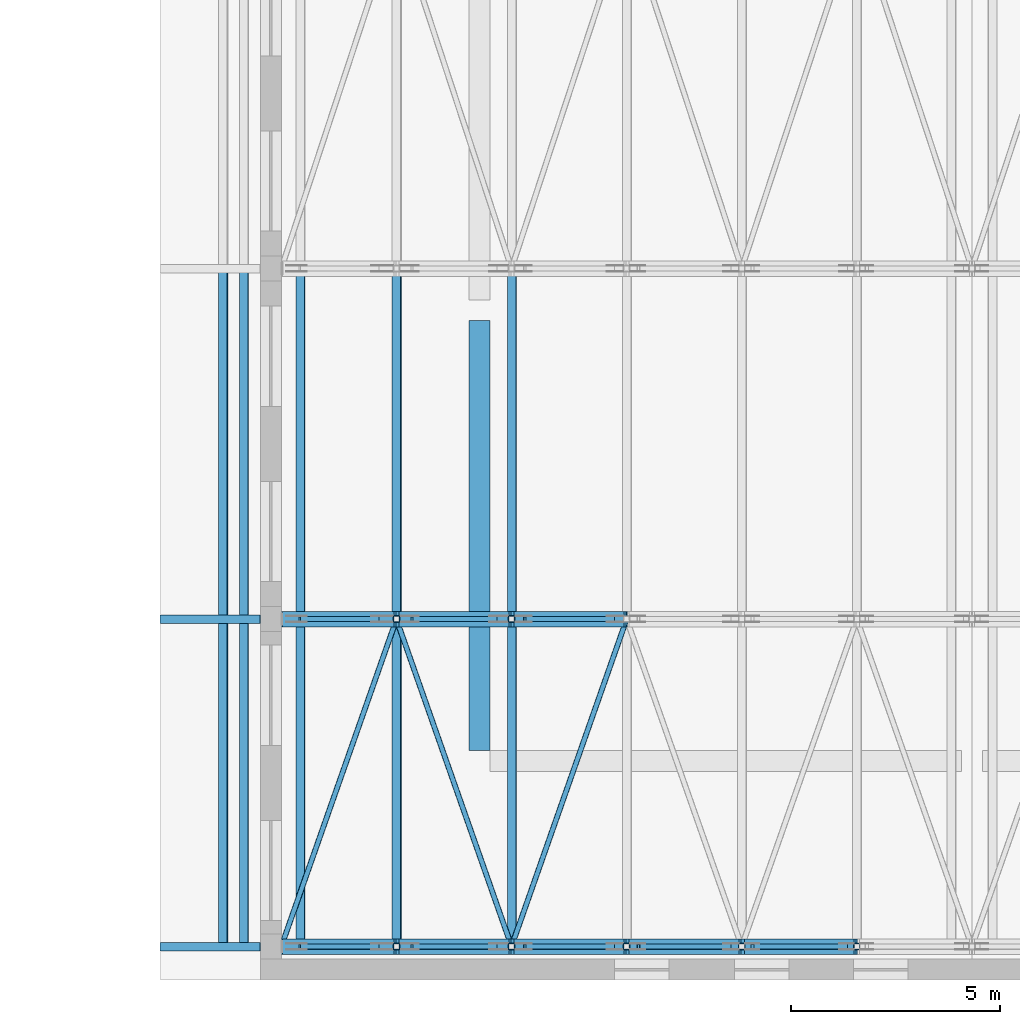
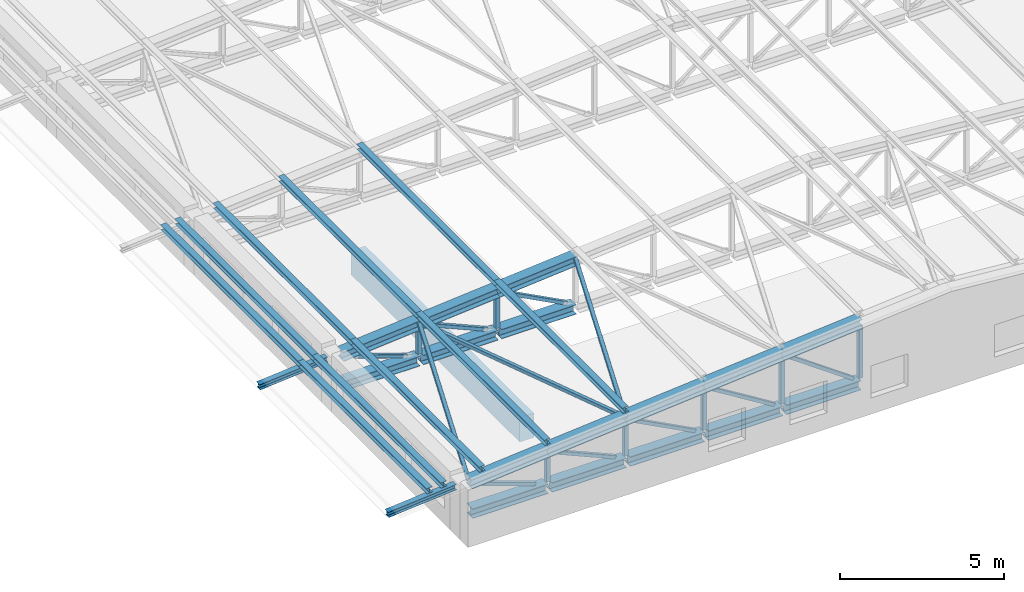
# One storey, part 9 of 60: 46 members, 1 beam.
"""IFC4 building model written with IfcOpenShell, lengths in metres."""

import ifcopenshell
import ifcopenshell.guid

model = None  # the IFC model being written
_history = None  # IfcOwnerHistory: only IFC2X3 demands one
_inside = {}  # id of a spatial element -> (the spatial element, [elements in it])
_under = {}  # id of a project, library or spatial element -> (it, [spatial elements below it])
_declared = {}  # id of a project -> (the project, [libraries it declares])
_typed = {}  # id of a type object -> (the type object, [elements of that type])
_made_of = {}  # id of a material, layer set ... -> (it, [elements and type objects made of it])


def new_model(schema):
    """Start an empty IFC model of exactly this schema.

    Asked for "IFC4X3", IfcOpenShell would pick the latest addendum, in which some entities
    have other attributes; the version numbers below select the first issue.
    IFC2X3 requires an IfcOwnerHistory on every rooted entity: one is made here for all.
    """
    global model, _history
    if schema == "IFC4X3":
        model = ifcopenshell.file(schema_version=(4, 3, 0, 0))
    else:
        model = ifcopenshell.file(schema=schema)
    _inside.clear()
    _under.clear()
    _declared.clear()
    _typed.clear()
    _made_of.clear()
    _history = None
    if model.schema == "IFC2X3":
        org = make("IfcOrganization", Name="unknown")
        user = make(
            "IfcPersonAndOrganization",
            ThePerson=make("IfcPerson", FamilyName="unknown"),
            TheOrganization=org,
        )
        app = make(
            "IfcApplication",
            ApplicationDeveloper=org,
            Version="unknown",
            ApplicationFullName="unknown",
            ApplicationIdentifier="unknown",
        )
        _history = make(
            "IfcOwnerHistory",
            OwningUser=user,
            OwningApplication=app,
            ChangeAction="ADDED",
            CreationDate=0,
        )
    return model


def make(cls, **values):
    """One entity of the class cls with the attributes given. An attribute that is None is left unset."""
    return model.create_entity(
        cls, **{name: value for name, value in values.items() if value is not None}
    )


def rooted(cls, **values):
    """An entity with a GlobalId (a new one), such as an element, a storey or a relation."""
    return make(cls, GlobalId=ifcopenshell.guid.new(), OwnerHistory=_history, **values)


def si_unit(unit_type, name, prefix=None):
    """IfcSIUnit, for example si_unit("LENGTHUNIT", "METRE", prefix="MILLI")."""
    return make("IfcSIUnit", UnitType=unit_type, Prefix=prefix, Name=name)


def assignment(units):
    """IfcUnitAssignment: the units of a project."""
    return None if units is None else make("IfcUnitAssignment", Units=units)


def point(xyz):
    """IfcCartesianPoint."""
    return None if xyz is None else make("IfcCartesianPoint", Coordinates=xyz)


def direction(xyz):
    """IfcDirection."""
    return None if xyz is None else make("IfcDirection", DirectionRatios=xyz)


def frame(location, z_axis=None, x_axis=None):
    """IfcAxis2Placement3D, a coordinate frame: its origin and axes. An axis left out is left unset."""
    return make(
        "IfcAxis2Placement3D",
        Location=point(location),
        Axis=direction(z_axis),
        RefDirection=direction(x_axis),
    )


def frame_2d(location, x_axis=None):
    """IfcAxis2Placement2D, a coordinate frame in the plane: its origin and x axis."""
    return make(
        "IfcAxis2Placement2D", Location=point(location), RefDirection=direction(x_axis)
    )


def origin():
    """The frame at (0, 0, 0) with its axes left unset."""
    return frame((0.0, 0.0, 0.0))


def origin_2d():
    """The frame at (0, 0) in the plane with its x axis left unset."""
    return frame_2d((0.0, 0.0))


def place(relative_to, where):
    """IfcLocalPlacement: puts the frame where relative to a parent placement (None: the world)."""
    return make(
        "IfcLocalPlacement", PlacementRelTo=relative_to, RelativePlacement=where
    )


def context(
    kind, dimensions, precision=None, world=None, true_north=None, identifier=None
):
    """IfcGeometricRepresentationContext, for example the 3D "Model" context."""
    return make(
        "IfcGeometricRepresentationContext",
        ContextIdentifier=identifier,
        ContextType=kind,
        CoordinateSpaceDimension=dimensions,
        Precision=precision,
        WorldCoordinateSystem=world,
        TrueNorth=true_north,
    )


def subcontext(parent, identifier, kind, view, scale=None):
    """IfcGeometricRepresentationSubContext, for example "Body" below "Model"."""
    return make(
        "IfcGeometricRepresentationSubContext",
        ContextIdentifier=identifier,
        ContextType=kind,
        ParentContext=parent,
        TargetScale=scale,
        TargetView=view,
    )


def project(units=None, contexts=None):
    """IfcProject with its units and contexts."""
    return rooted(
        "IfcProject",
        Name="project",
        RepresentationContexts=contexts,
        UnitsInContext=assignment(units),
    )


def spatial(cls, under=None, at=None, **own):
    """A site, building, storey or space (cls), placed at a placement, below another one or the project."""
    s = rooted(cls, ObjectPlacement=at, **own)
    if under is not None:
        _under.setdefault(under.id(), (under, []))[1].append(s)
    return s


def profile(cls, at=None, kind="AREA", **sizes):
    """A parametric profile (cls). Its sizes go by their IFC names, for example OverallWidth=200.0."""
    return make(cls, ProfileType=kind, Position=at, **sizes)


def rectangle(**sizes):
    """IfcRectangleProfileDef."""
    return profile("IfcRectangleProfileDef", **sizes)


def hollow_rectangle(**sizes):
    """IfcRectangleHollowProfileDef."""
    return profile("IfcRectangleHollowProfileDef", **sizes)


def i_section(**sizes):
    """IfcIShapeProfileDef."""
    return profile("IfcIShapeProfileDef", **sizes)


def extrude(swept, where, along, depth):
    """IfcExtrudedAreaSolid: the profile swept, set in the frame where, extruded along a direction by depth."""
    return make(
        "IfcExtrudedAreaSolid",
        SweptArea=swept,
        Position=where,
        ExtrudedDirection=direction(along),
        Depth=depth,
    )


def shape(context_of_items, identifier, shape_type, items):
    """IfcShapeRepresentation: the items that make up one representation, for example the "Body"."""
    return make(
        "IfcShapeRepresentation",
        ContextOfItems=context_of_items,
        RepresentationIdentifier=identifier,
        RepresentationType=shape_type,
        Items=items,
    )


def material(Name=None, Category=None):
    """IfcMaterial."""
    return make("IfcMaterial", Name=Name, Category=Category)


def material_profile(
    of_material, cross_section, Name=None, Category=None, Priority=None
):
    """IfcMaterialProfile: a cross section and its material."""
    return make(
        "IfcMaterialProfile",
        Name=Name,
        Material=of_material,
        Profile=cross_section,
        Priority=Priority,
        Category=Category,
    )


def profile_set(profiles, Name=None, composite=None):
    """IfcMaterialProfileSet."""
    return make(
        "IfcMaterialProfileSet",
        Name=Name,
        MaterialProfiles=profiles,
        CompositeProfile=composite,
    )


def made_of(thing, what):
    """Note that an element or type object is made of a material, layer set ...; save() writes the relation."""
    if what is not None:
        _made_of.setdefault(what.id(), (what, []))[1].append(thing)
    return thing


def type_object(cls, material=None, **own):
    """A type object (cls), such as IfcWallType, which elements share."""
    return made_of(rooted(cls, **own), material)


def element(
    cls,
    number,
    at=None,
    inside=None,
    cuts=None,
    type_object=None,
    material=None,
    context=None,
    identifier="Body",
    shape_type=None,
    held_by="IfcProductDefinitionShape",
    body=None,
    shapes=None,
    **own,
):
    """One element of the class cls, such as IfcWall. Its Tag is "e" and its number.

    at: its placement. inside: the storey or other place that contains it. cuts: it is an
    opening in that element (IfcRelVoidsElement). A single representation is given by context,
    identifier, shape_type and body (its items); several are given by shapes. held_by: the class
    of the entity that holds the representations. save() writes the other relations.
    """
    e = rooted(cls, Tag="e%d" % number, ObjectPlacement=at, **own)
    if body is not None:
        shapes = [shape(context, identifier, shape_type, body)]
    if shapes is not None:
        e.Representation = make(held_by, Representations=shapes)
    if inside is not None:
        _inside.setdefault(inside.id(), (inside, []))[1].append(e)
    if cuts is not None:
        rooted(
            "IfcRelVoidsElement", RelatingBuildingElement=cuts, RelatedOpeningElement=e
        )
    if type_object is not None:
        _typed.setdefault(type_object.id(), (type_object, []))[1].append(e)
    return made_of(e, material)


def aggregate(whole, parts):
    """IfcRelAggregates: a whole, such as a stair, and the parts it consists of."""
    return rooted("IfcRelAggregates", RelatingObject=whole, RelatedObjects=parts)


def save(model, path):
    """Write the relations noted so far, then the file.

    IfcRelAggregates (storeys below a building ...), IfcRelContainedInSpatialStructure (elements
    in a storey), IfcRelDefinesByType, IfcRelAssociatesMaterial and IfcRelDeclares: one each for
    every whole, place, type object, material and project.
    """
    for whole, parts in _under.values():
        aggregate(whole, parts)
    for where, things in _inside.values():
        rooted(
            "IfcRelContainedInSpatialStructure",
            RelatedElements=things,
            RelatingStructure=where,
        )
    for kind, things in _typed.values():
        rooted("IfcRelDefinesByType", RelatedObjects=things, RelatingType=kind)
    for what, things in _made_of.values():
        rooted("IfcRelAssociatesMaterial", RelatedObjects=things, RelatingMaterial=what)
    for by, libraries in _declared.values():
        rooted("IfcRelDeclares", RelatingContext=by, RelatedDefinitions=libraries)
    model.write(path)


model = new_model("IFC4")

# Units and contexts
model_context = context("Model", 3, precision=1e-05, world=origin(), true_north=direction((0.0, 1.0)))
body_context = subcontext(model_context, "Body", "Model", "MODEL_VIEW")
ifc_project = project(units=[si_unit("LENGTHUNIT", "METRE"), si_unit("AREAUNIT", "SQUARE_METRE"), si_unit("VOLUMEUNIT", "CUBIC_METRE"), si_unit("PLANEANGLEUNIT", "RADIAN"), si_unit("MASSUNIT", "GRAM", prefix="KILO")], contexts=[model_context])

# Site, building, storey
site_placement = place(None, origin())
site = spatial("IfcSite", under=ifc_project, at=site_placement, CompositionType="ELEMENT")
building_placement = place(site_placement, origin())
building = spatial("IfcBuilding", under=site, at=building_placement, Name="Ljudholm Concert House", CompositionType="ELEMENT")
storey_placement = place(building_placement, frame((0.0, 0.0, 15.0)))
storey = spatial("IfcBuildingStorey", under=building, at=storey_placement, Name="L03", CompositionType="ELEMENT", Elevation=15.0)

# Beam
ifc_material_1 = material(Name="Concrete 6,500 psi", Category="concrete")
ifc_material_profile_1 = material_profile(ifc_material_1, rectangle(XDim=0.5, YDim=0.89990234375, at=origin_2d()), Name="RC BEAM 500x900")
ifc_profile_set_1 = profile_set([ifc_material_profile_1], Name="Concrete 6,500 psi")
beam_type = type_object("IfcBeamType", Name="RC BEAM 500x900", PredefinedType="BEAM", material=ifc_profile_set_1)
beam_placement = place(storey_placement, frame((17.39990234375, 9.25, -0.699951171875), z_axis=(0.0, 1.0, 0.0), x_axis=(-1.0, 0.0, 0.0)))
element("IfcBeam", 1, at=beam_placement, inside=storey, type_object=beam_type, Name="Ring beam", PredefinedType="BEAM", context=body_context, shape_type="SweptSolid", body=[
    extrude(rectangle(XDim=0.5, YDim=0.89990234375, at=origin_2d()), origin(), (0.0, 0.0, 1.0), 10.300048828125),
])

# Members
ifc_material_2 = material(Name="Steel ASTM A500 Gr. C", Category="steel")
ifc_material_profile_2 = material_profile(ifc_material_2, hollow_rectangle(XDim=0.126953125, YDim=0.126953125, WallThickness=0.00732421875, InnerFilletRadius=0.003662109375, OuterFilletRadius=0.010986328125, at=origin_2d()), Name="HSS5X5X5/16")
ifc_profile_set_2 = profile_set([ifc_material_profile_2], Name="Steel ASTM A500 Gr. C")
member_type_1 = type_object("IfcMemberType", Name="STEEL MEMBER HSS5X5X5/16 BRACE", PredefinedType="BRACE", material=ifc_profile_set_2)
member_1_placement = place(storey_placement, frame((13.093994140625, 4.550048828125, 1.58447265625), z_axis=(0.945096021447, 0.0, -0.326792763453), x_axis=(0.0, 1.0, 0.0)))
element("IfcMember", 2, at=member_1_placement, inside=storey, type_object=member_type_1, Name="Roof truss T1 diagonal", PredefinedType="BRACE", context=body_context, shape_type="SweptSolid", body=[
    extrude(hollow_rectangle(XDim=0.126953125, YDim=0.126953125, WallThickness=0.00732421875, InnerFilletRadius=0.003662109375, OuterFilletRadius=0.010986328125, at=origin_2d()), origin(), (0.0, 0.0, 1.0), 1.97900390625),
])
member_2_placement = place(storey_placement, frame((15.777099609375, 4.550048828125, 1.816650390625), z_axis=(0.916733409918, 0.0, -0.399499505808), x_axis=(0.0, 1.0, 0.0)))
element("IfcMember", 3, at=member_2_placement, inside=storey, type_object=member_type_1, Name="Roof truss T1 diagonal", PredefinedType="BRACE", context=body_context, shape_type="SweptSolid", body=[
    extrude(hollow_rectangle(XDim=0.126953125, YDim=0.126953125, WallThickness=0.00732421875, InnerFilletRadius=0.003662109375, OuterFilletRadius=0.010986328125, at=origin_2d()), origin(), (0.0, 0.0, 1.0), 2.204345703125),
])
member_3_placement = place(storey_placement, frame((18.48583984375, 4.550048828125, 2.050048828125), z_axis=(0.884876217226, 0.0, -0.465826233898), x_axis=(0.0, 1.0, 0.0)))
element("IfcMember", 4, at=member_3_placement, inside=storey, type_object=member_type_1, Name="Roof truss T1 diagonal", PredefinedType="BRACE", context=body_context, shape_type="SweptSolid", body=[
    extrude(hollow_rectangle(XDim=0.126953125, YDim=0.126953125, WallThickness=0.00732421875, InnerFilletRadius=0.003662109375, OuterFilletRadius=0.010986328125, at=origin_2d()), origin(), (0.0, 0.0, 1.0), 2.395751953125),
])
member_4_placement = place(storey_placement, frame((21.20947265625, 4.550048828125, 2.2841796875), z_axis=(0.850800492384, 0.0, -0.525488841137), x_axis=(0.0, 1.0, 0.0)))
element("IfcMember", 5, at=member_4_placement, inside=storey, type_object=member_type_1, Name="Roof truss T1 diagonal", PredefinedType="BRACE", context=body_context, shape_type="SweptSolid", body=[
    extrude(hollow_rectangle(XDim=0.126953125, YDim=0.126953125, WallThickness=0.00732421875, InnerFilletRadius=0.003662109375, OuterFilletRadius=0.010986328125, at=origin_2d()), origin(), (0.0, 0.0, 1.0), 2.573486328125),
])
member_5_placement = place(storey_placement, frame((23.9423828125, 4.550048828125, 2.518798828125), z_axis=(0.815632982968, 0.0, -0.578569647574), x_axis=(0.0, 1.0, 0.0)))
element("IfcMember", 6, at=member_5_placement, inside=storey, type_object=member_type_1, Name="Roof truss T1 diagonal", PredefinedType="BRACE", context=body_context, shape_type="SweptSolid", body=[
    extrude(hollow_rectangle(XDim=0.126953125, YDim=0.126953125, WallThickness=0.00732421875, InnerFilletRadius=0.003662109375, OuterFilletRadius=0.010986328125, at=origin_2d()), origin(), (0.0, 0.0, 1.0), 2.74658203125),
])
member_6_placement = place(storey_placement, frame((13.093994140625, 12.39990234375, 1.58447265625), z_axis=(0.945096021447, 0.0, -0.326792763453), x_axis=(0.0, 1.0, 0.0)))
element("IfcMember", 7, at=member_6_placement, inside=storey, type_object=member_type_1, Name="Roof truss T2 diagonal", PredefinedType="BRACE", context=body_context, shape_type="SweptSolid", body=[
    extrude(hollow_rectangle(XDim=0.126953125, YDim=0.126953125, WallThickness=0.00732421875, InnerFilletRadius=0.003662109375, OuterFilletRadius=0.010986328125, at=origin_2d()), origin(), (0.0, 0.0, 1.0), 1.97900390625),
])
member_7_placement = place(storey_placement, frame((15.777099609375, 12.39990234375, 1.816650390625), z_axis=(0.916733409918, 0.0, -0.399499505808), x_axis=(0.0, 1.0, 0.0)))
element("IfcMember", 8, at=member_7_placement, inside=storey, type_object=member_type_1, Name="Roof truss T2 diagonal", PredefinedType="BRACE", context=body_context, shape_type="SweptSolid", body=[
    extrude(hollow_rectangle(XDim=0.126953125, YDim=0.126953125, WallThickness=0.00732421875, InnerFilletRadius=0.003662109375, OuterFilletRadius=0.010986328125, at=origin_2d()), origin(), (0.0, 0.0, 1.0), 2.204345703125),
])
member_8_placement = place(storey_placement, frame((18.48583984375, 12.39990234375, 2.050048828125), z_axis=(0.884876217226, 0.0, -0.465826233898), x_axis=(0.0, 1.0, 0.0)))
element("IfcMember", 9, at=member_8_placement, inside=storey, type_object=member_type_1, Name="Roof truss T2 diagonal", PredefinedType="BRACE", context=body_context, shape_type="SweptSolid", body=[
    extrude(hollow_rectangle(XDim=0.126953125, YDim=0.126953125, WallThickness=0.00732421875, InnerFilletRadius=0.003662109375, OuterFilletRadius=0.010986328125, at=origin_2d()), origin(), (0.0, 0.0, 1.0), 2.395751953125),
])
member_9_placement = place(storey_placement, frame((12.64990234375, 4.5556640625, 1.800048828125), z_axis=(0.331820868413, 0.942924545801, 0.028075117285), x_axis=(-0.943296377948, 0.331951718402, 0.0)))
element("IfcMember", 10, at=member_9_placement, inside=storey, type_object=member_type_1, Name="Roof bracing", PredefinedType="BRACE", context=body_context, shape_type="SweptSolid", body=[
    extrude(hollow_rectangle(XDim=0.126953125, YDim=0.126953125, WallThickness=0.00732421875, InnerFilletRadius=0.003662109375, OuterFilletRadius=0.010986328125, at=origin_2d()), origin(), (0.0, 0.0, 1.0), 8.3134765625),
])
for number, where, z_axis, x_axis, name in (
    (11, (15.408447265625, 12.39453125, 2.033447265625), (0.331795007664, -0.942934511072, 0.028046046408), (0.943305577044, 0.331925576474, 0.0), "Roof bracing"),
    (12, (18.166748046875, 4.5556640625, 2.2666015625), (0.33179473424, 0.942933734023, 0.02807539086), (-0.943305577044, 0.331925576474, 0.0), "Roof bracing"),
):
    element("IfcMember", number, at=place(storey_placement, frame(where, z_axis=z_axis, x_axis=x_axis)), inside=storey, type_object=member_type_1, Name=name, PredefinedType="BRACE", context=body_context, shape_type="SweptSolid", body=[
        extrude(hollow_rectangle(XDim=0.126953125, YDim=0.126953125, WallThickness=0.00732421875, InnerFilletRadius=0.003662109375, OuterFilletRadius=0.010986328125, at=origin_2d()), origin(), (0.0, 0.0, 1.0), 8.313232421875),
    ])
ifc_material_3 = material(Name="Steel ASTM A500 Gr. C", Category="steel")
ifc_material_profile_3 = material_profile(ifc_material_3, hollow_rectangle(XDim=0.15234375, YDim=0.15234375, WallThickness=0.0087890625, InnerFilletRadius=0.00439453125, OuterFilletRadius=0.01318359375, at=origin_2d()), Name="HSS6X6X3/8")
ifc_profile_set_3 = profile_set([ifc_material_profile_3], Name="Steel ASTM A500 Gr. C")
member_type_2 = type_object("IfcMemberType", Name="STEEL MEMBER HSS6X6X3/8 POST", PredefinedType="POST", material=ifc_profile_set_3)
member_10_placement = place(storey_placement, frame((15.408447265625, 4.550048828125, 0.877685546875), z_axis=(0.0, 0.0, 1.0), x_axis=(1.0, 0.0, 0.0)))
element("IfcMember", 13, at=member_10_placement, inside=storey, type_object=member_type_2, Name="Roof truss T1 post", PredefinedType="POST", context=body_context, shape_type="SweptSolid", body=[
    extrude(hollow_rectangle(XDim=0.15234375, YDim=0.15234375, WallThickness=0.0087890625, InnerFilletRadius=0.00439453125, OuterFilletRadius=0.01318359375, at=origin_2d()), origin(), (0.0, 0.0, 1.0), 0.977294921875),
])
member_11_placement = place(storey_placement, frame((18.166748046875, 4.550048828125, 0.877685546875), z_axis=(0.0, 0.0, 1.0), x_axis=(1.0, 0.0, 0.0)))
element("IfcMember", 14, at=member_11_placement, inside=storey, type_object=member_type_2, Name="Roof truss T1 post", PredefinedType="POST", context=body_context, shape_type="SweptSolid", body=[
    extrude(hollow_rectangle(XDim=0.15234375, YDim=0.15234375, WallThickness=0.0087890625, InnerFilletRadius=0.00439453125, OuterFilletRadius=0.01318359375, at=origin_2d()), origin(), (0.0, 0.0, 1.0), 1.21044921875),
])
member_12_placement = place(storey_placement, frame((20.925048828125, 4.550048828125, 0.877685546875), z_axis=(0.0, 0.0, 1.0), x_axis=(1.0, 0.0, 0.0)))
element("IfcMember", 15, at=member_12_placement, inside=storey, type_object=member_type_2, Name="Roof truss T1 post", PredefinedType="POST", context=body_context, shape_type="SweptSolid", body=[
    extrude(hollow_rectangle(XDim=0.15234375, YDim=0.15234375, WallThickness=0.0087890625, InnerFilletRadius=0.00439453125, OuterFilletRadius=0.01318359375, at=origin_2d()), origin(), (0.0, 0.0, 1.0), 1.44384765625),
])
member_13_placement = place(storey_placement, frame((23.683349609375, 4.550048828125, 0.877685546875), z_axis=(0.0, 0.0, 1.0), x_axis=(1.0, 0.0, 0.0)))
element("IfcMember", 16, at=member_13_placement, inside=storey, type_object=member_type_2, Name="Roof truss T1 post", PredefinedType="POST", context=body_context, shape_type="SweptSolid", body=[
    extrude(hollow_rectangle(XDim=0.15234375, YDim=0.15234375, WallThickness=0.0087890625, InnerFilletRadius=0.00439453125, OuterFilletRadius=0.01318359375, at=origin_2d()), origin(), (0.0, 0.0, 1.0), 1.67724609375),
])
member_14_placement = place(storey_placement, frame((26.441650390625, 4.550048828125, 0.877685546875), z_axis=(0.0, 0.0, 1.0), x_axis=(1.0, 0.0, 0.0)))
element("IfcMember", 17, at=member_14_placement, inside=storey, type_object=member_type_2, Name="Roof truss T1 post", PredefinedType="POST", context=body_context, shape_type="SweptSolid", body=[
    extrude(hollow_rectangle(XDim=0.15234375, YDim=0.15234375, WallThickness=0.0087890625, InnerFilletRadius=0.00439453125, OuterFilletRadius=0.01318359375, at=origin_2d()), origin(), (0.0, 0.0, 1.0), 1.91064453125),
])
member_15_placement = place(storey_placement, frame((15.408447265625, 12.39990234375, 0.877685546875), z_axis=(0.0, 0.0, 1.0), x_axis=(1.0, 0.0, 0.0)))
element("IfcMember", 18, at=member_15_placement, inside=storey, type_object=member_type_2, Name="Roof truss T2 post", PredefinedType="POST", context=body_context, shape_type="SweptSolid", body=[
    extrude(hollow_rectangle(XDim=0.15234375, YDim=0.15234375, WallThickness=0.0087890625, InnerFilletRadius=0.00439453125, OuterFilletRadius=0.01318359375, at=origin_2d()), origin(), (0.0, 0.0, 1.0), 0.977294921875),
])
member_16_placement = place(storey_placement, frame((18.166748046875, 12.39990234375, 0.877685546875), z_axis=(0.0, 0.0, 1.0), x_axis=(1.0, 0.0, 0.0)))
element("IfcMember", 19, at=member_16_placement, inside=storey, type_object=member_type_2, Name="Roof truss T2 post", PredefinedType="POST", context=body_context, shape_type="SweptSolid", body=[
    extrude(hollow_rectangle(XDim=0.15234375, YDim=0.15234375, WallThickness=0.0087890625, InnerFilletRadius=0.00439453125, OuterFilletRadius=0.01318359375, at=origin_2d()), origin(), (0.0, 0.0, 1.0), 1.21044921875),
])
ifc_material_4 = material(Name="Steel ASTM A992", Category="steel")
ifc_material_profile_4 = material_profile(ifc_material_4, i_section(OverallWidth=0.368408203125, OverallDepth=0.355712890625, WebThickness=0.01123046875, FlangeThickness=0.01806640625, FilletRadius=0.01513671875, at=origin_2d()), Name="W14X90")
ifc_profile_set_4 = profile_set([ifc_material_profile_4], Name="Steel ASTM A992")
member_type_3 = type_object("IfcMemberType", Name="STEEL MEMBER W14X90 CHORD", PredefinedType="CHORD", material=ifc_profile_set_4)
member_17_placement = place(storey_placement, frame((12.64990234375, 4.550048828125, 1.800048828125), z_axis=(0.996439740606, 0.0, 0.084308026553), x_axis=(0.0, 1.0, 0.0)))
element("IfcMember", 20, at=member_17_placement, inside=storey, type_object=member_type_3, Name="Roof truss T1 top chord", PredefinedType="CHORD", context=body_context, shape_type="SweptSolid", body=[
    extrude(i_section(OverallWidth=0.368408203125, OverallDepth=0.355712890625, WebThickness=0.01123046875, FlangeThickness=0.01806640625, FilletRadius=0.01513671875, at=origin_2d()), origin(), (0.0, 0.0, 1.0), 2.768310546875),
])
member_18_placement = place(storey_placement, frame((12.679931640625, 4.550048828125, 0.699951171875), z_axis=(1.0, 0.0, 0.0), x_axis=(0.0, 1.0, 0.0)))
element("IfcMember", 21, at=member_18_placement, inside=storey, type_object=member_type_3, Name="Roof truss T1 bottom chord", PredefinedType="CHORD", context=body_context, shape_type="SweptSolid", body=[
    extrude(i_section(OverallWidth=0.368408203125, OverallDepth=0.355712890625, WebThickness=0.01123046875, FlangeThickness=0.01806640625, FilletRadius=0.01513671875, at=origin_2d()), origin(), (0.0, 0.0, 1.0), 2.66650390625),
])
member_19_placement = place(storey_placement, frame((15.408447265625, 4.550048828125, 2.033447265625), z_axis=(0.996446519711, 0.0, 0.084227865669), x_axis=(0.0, 1.0, 0.0)))
element("IfcMember", 22, at=member_19_placement, inside=storey, type_object=member_type_3, Name="Roof truss T1 top chord", PredefinedType="CHORD", context=body_context, shape_type="SweptSolid", body=[
    extrude(i_section(OverallWidth=0.368408203125, OverallDepth=0.355712890625, WebThickness=0.01123046875, FlangeThickness=0.01806640625, FilletRadius=0.01513671875, at=origin_2d()), origin(), (0.0, 0.0, 1.0), 2.76806640625),
])
member_20_placement = place(storey_placement, frame((15.47021484375, 4.550048828125, 0.699951171875), z_axis=(1.0, 0.0, 0.0), x_axis=(0.0, 1.0, 0.0)))
element("IfcMember", 23, at=member_20_placement, inside=storey, type_object=member_type_3, Name="Roof truss T1 bottom chord", PredefinedType="CHORD", context=body_context, shape_type="SweptSolid", body=[
    extrude(i_section(OverallWidth=0.368408203125, OverallDepth=0.355712890625, WebThickness=0.01123046875, FlangeThickness=0.01806640625, FilletRadius=0.01513671875, at=origin_2d()), origin(), (0.0, 0.0, 1.0), 2.634521484375),
])
member_21_placement = place(storey_placement, frame((18.166748046875, 4.550048828125, 2.2666015625), z_axis=(0.996439113695, 0.0, 0.084315435714), x_axis=(0.0, 1.0, 0.0)))
element("IfcMember", 24, at=member_21_placement, inside=storey, type_object=member_type_3, Name="Roof truss T1 top chord", PredefinedType="CHORD", context=body_context, shape_type="SweptSolid", body=[
    extrude(i_section(OverallWidth=0.368408203125, OverallDepth=0.355712890625, WebThickness=0.01123046875, FlangeThickness=0.01806640625, FilletRadius=0.01513671875, at=origin_2d()), origin(), (0.0, 0.0, 1.0), 2.76806640625),
])
member_22_placement = place(storey_placement, frame((18.228759765625, 4.550048828125, 0.699951171875), z_axis=(1.0, 0.0, 0.0), x_axis=(0.0, 1.0, 0.0)))
element("IfcMember", 25, at=member_22_placement, inside=storey, type_object=member_type_3, Name="Roof truss T1 bottom chord", PredefinedType="CHORD", context=body_context, shape_type="SweptSolid", body=[
    extrude(i_section(OverallWidth=0.368408203125, OverallDepth=0.355712890625, WebThickness=0.01123046875, FlangeThickness=0.01806640625, FilletRadius=0.01513671875, at=origin_2d()), origin(), (0.0, 0.0, 1.0), 2.63427734375),
])
member_23_placement = place(storey_placement, frame((20.925048828125, 4.550048828125, 2.5), z_axis=(0.996439113695, 0.0, 0.084315435714), x_axis=(0.0, 1.0, 0.0)))
element("IfcMember", 26, at=member_23_placement, inside=storey, type_object=member_type_3, Name="Roof truss T1 top chord", PredefinedType="CHORD", context=body_context, shape_type="SweptSolid", body=[
    extrude(i_section(OverallWidth=0.368408203125, OverallDepth=0.355712890625, WebThickness=0.01123046875, FlangeThickness=0.01806640625, FilletRadius=0.01513671875, at=origin_2d()), origin(), (0.0, 0.0, 1.0), 2.76806640625),
])
member_24_placement = place(storey_placement, frame((20.987060546875, 4.550048828125, 0.699951171875), z_axis=(1.0, 0.0, 0.0), x_axis=(0.0, 1.0, 0.0)))
element("IfcMember", 27, at=member_24_placement, inside=storey, type_object=member_type_3, Name="Roof truss T1 bottom chord", PredefinedType="CHORD", context=body_context, shape_type="SweptSolid", body=[
    extrude(i_section(OverallWidth=0.368408203125, OverallDepth=0.355712890625, WebThickness=0.01123046875, FlangeThickness=0.01806640625, FilletRadius=0.01513671875, at=origin_2d()), origin(), (0.0, 0.0, 1.0), 2.63427734375),
])
member_25_placement = place(storey_placement, frame((23.683349609375, 4.550048828125, 2.7333984375), z_axis=(0.996446519711, 0.0, 0.084227865669), x_axis=(0.0, 1.0, 0.0)))
element("IfcMember", 28, at=member_25_placement, inside=storey, type_object=member_type_3, Name="Roof truss T1 top chord", PredefinedType="CHORD", context=body_context, shape_type="SweptSolid", body=[
    extrude(i_section(OverallWidth=0.368408203125, OverallDepth=0.355712890625, WebThickness=0.01123046875, FlangeThickness=0.01806640625, FilletRadius=0.01513671875, at=origin_2d()), origin(), (0.0, 0.0, 1.0), 2.76806640625),
])
member_26_placement = place(storey_placement, frame((23.745361328125, 4.550048828125, 0.699951171875), z_axis=(1.0, 0.0, 0.0), x_axis=(0.0, 1.0, 0.0)))
element("IfcMember", 29, at=member_26_placement, inside=storey, type_object=member_type_3, Name="Roof truss T1 bottom chord", PredefinedType="CHORD", context=body_context, shape_type="SweptSolid", body=[
    extrude(i_section(OverallWidth=0.368408203125, OverallDepth=0.355712890625, WebThickness=0.01123046875, FlangeThickness=0.01806640625, FilletRadius=0.01513671875, at=origin_2d()), origin(), (0.0, 0.0, 1.0), 2.63427734375),
])
member_27_placement = place(storey_placement, frame((12.64990234375, 12.39990234375, 1.800048828125), z_axis=(0.996439740606, 0.0, 0.084308026553), x_axis=(0.0, 1.0, 0.0)))
element("IfcMember", 30, at=member_27_placement, inside=storey, type_object=member_type_3, Name="Roof truss T2 top chord", PredefinedType="CHORD", context=body_context, shape_type="SweptSolid", body=[
    extrude(i_section(OverallWidth=0.368408203125, OverallDepth=0.355712890625, WebThickness=0.01123046875, FlangeThickness=0.01806640625, FilletRadius=0.01513671875, at=origin_2d()), origin(), (0.0, 0.0, 1.0), 2.768310546875),
])
member_28_placement = place(storey_placement, frame((12.679931640625, 12.39990234375, 0.699951171875), z_axis=(1.0, 0.0, 0.0), x_axis=(0.0, 1.0, 0.0)))
element("IfcMember", 31, at=member_28_placement, inside=storey, type_object=member_type_3, Name="Roof truss T2 bottom chord", PredefinedType="CHORD", context=body_context, shape_type="SweptSolid", body=[
    extrude(i_section(OverallWidth=0.368408203125, OverallDepth=0.355712890625, WebThickness=0.01123046875, FlangeThickness=0.01806640625, FilletRadius=0.01513671875, at=origin_2d()), origin(), (0.0, 0.0, 1.0), 2.66650390625),
])
member_29_placement = place(storey_placement, frame((15.408447265625, 12.39990234375, 2.033447265625), z_axis=(0.996446519711, 0.0, 0.084227865669), x_axis=(0.0, 1.0, 0.0)))
element("IfcMember", 32, at=member_29_placement, inside=storey, type_object=member_type_3, Name="Roof truss T2 top chord", PredefinedType="CHORD", context=body_context, shape_type="SweptSolid", body=[
    extrude(i_section(OverallWidth=0.368408203125, OverallDepth=0.355712890625, WebThickness=0.01123046875, FlangeThickness=0.01806640625, FilletRadius=0.01513671875, at=origin_2d()), origin(), (0.0, 0.0, 1.0), 2.76806640625),
])
member_30_placement = place(storey_placement, frame((15.47021484375, 12.39990234375, 0.699951171875), z_axis=(1.0, 0.0, 0.0), x_axis=(0.0, 1.0, 0.0)))
element("IfcMember", 33, at=member_30_placement, inside=storey, type_object=member_type_3, Name="Roof truss T2 bottom chord", PredefinedType="CHORD", context=body_context, shape_type="SweptSolid", body=[
    extrude(i_section(OverallWidth=0.368408203125, OverallDepth=0.355712890625, WebThickness=0.01123046875, FlangeThickness=0.01806640625, FilletRadius=0.01513671875, at=origin_2d()), origin(), (0.0, 0.0, 1.0), 2.634521484375),
])
member_31_placement = place(storey_placement, frame((18.166748046875, 12.39990234375, 2.2666015625), z_axis=(0.996439113695, 0.0, 0.084315435714), x_axis=(0.0, 1.0, 0.0)))
element("IfcMember", 34, at=member_31_placement, inside=storey, type_object=member_type_3, Name="Roof truss T2 top chord", PredefinedType="CHORD", context=body_context, shape_type="SweptSolid", body=[
    extrude(i_section(OverallWidth=0.368408203125, OverallDepth=0.355712890625, WebThickness=0.01123046875, FlangeThickness=0.01806640625, FilletRadius=0.01513671875, at=origin_2d()), origin(), (0.0, 0.0, 1.0), 2.76806640625),
])
member_32_placement = place(storey_placement, frame((18.228759765625, 12.39990234375, 0.699951171875), z_axis=(1.0, 0.0, 0.0), x_axis=(0.0, 1.0, 0.0)))
element("IfcMember", 35, at=member_32_placement, inside=storey, type_object=member_type_3, Name="Roof truss T2 bottom chord", PredefinedType="CHORD", context=body_context, shape_type="SweptSolid", body=[
    extrude(i_section(OverallWidth=0.368408203125, OverallDepth=0.355712890625, WebThickness=0.01123046875, FlangeThickness=0.01806640625, FilletRadius=0.01513671875, at=origin_2d()), origin(), (0.0, 0.0, 1.0), 2.63427734375),
])
ifc_material_5 = material(Name="Steel ASTM A992", Category="steel")
ifc_material_profile_5 = material_profile(ifc_material_5, i_section(OverallWidth=0.203125, OverallDepth=0.203125, WebThickness=0.00732421875, FlangeThickness=0.010986328125, FilletRadius=0.010009765625, at=origin_2d()), Name="W8X31")
ifc_profile_set_5 = profile_set([ifc_material_profile_5], Name="Steel ASTM A992")
member_type_4 = type_object("IfcMemberType", Name="STEEL MEMBER W8X31 PURLIN", PredefinedType="PURLIN", material=ifc_profile_set_5)
for number, where, z_axis, x_axis, name in (
    (36, (13.108642578125, 4.550048828125, 2.119140625), (0.0, 1.0, 0.0), (-0.996441172925, 0.0, -0.084291096202), "Purlin"),
    (37, (15.4169921875, 4.550048828125, 2.314453125), (0.0, 1.0, 0.0), (-0.996441172925, 0.0, -0.084291096202), "Purlin"),
    (38, (18.17529296875, 4.550048828125, 2.5478515625), (0.0, 1.0, 0.0), (-0.996441172925, 0.0, -0.084291096202), "Purlin"),
):
    element("IfcMember", number, at=place(storey_placement, frame(where, z_axis=z_axis, x_axis=x_axis)), inside=storey, type_object=member_type_4, Name=name, PredefinedType="PURLIN", context=body_context, shape_type="SweptSolid", body=[
        extrude(i_section(OverallWidth=0.203125, OverallDepth=0.203125, WebThickness=0.00732421875, FlangeThickness=0.010986328125, FilletRadius=0.010009765625, at=origin_2d()), origin(), (0.0, 0.0, 1.0), 7.849853515625),
    ])
for number, where, z_axis, x_axis, name in (
    (39, (13.108642578125, 12.39990234375, 2.119140625), (0.0, 1.0, 0.0), (-0.996441172925, 0.0, -0.084291096202), "Purlin"),
    (40, (15.4169921875, 12.39990234375, 2.314453125), (0.0, 1.0, 0.0), (-0.996441172925, 0.0, -0.084291096202), "Purlin"),
    (41, (18.17529296875, 12.39990234375, 2.5478515625), (0.0, 1.0, 0.0), (-0.996441172925, 0.0, -0.084291096202), "Purlin"),
):
    element("IfcMember", number, at=place(storey_placement, frame(where, z_axis=z_axis, x_axis=x_axis)), inside=storey, type_object=member_type_4, Name=name, PredefinedType="PURLIN", context=body_context, shape_type="SweptSolid", body=[
        extrude(i_section(OverallWidth=0.203125, OverallDepth=0.203125, WebThickness=0.00732421875, FlangeThickness=0.010986328125, FilletRadius=0.010009765625, at=origin_2d()), origin(), (0.0, 0.0, 1.0), 8.400146484375),
    ])
for number, where, z_axis, x_axis, name in (
    (42, (11.758544921875, 4.550048828125, 2.0048828125), (0.0, 1.0, 0.0), (-0.996441172925, 0.0, -0.084291096202), "Purlin"),
    (43, (11.258544921875, 4.550048828125, 1.962646484375), (0.0, 1.0, 0.0), (-0.996441172925, 0.0, -0.084291096202), "Purlin"),
):
    element("IfcMember", number, at=place(storey_placement, frame(where, z_axis=z_axis, x_axis=x_axis)), inside=storey, type_object=member_type_4, Name=name, PredefinedType="PURLIN", context=body_context, shape_type="SweptSolid", body=[
        extrude(i_section(OverallWidth=0.203125, OverallDepth=0.203125, WebThickness=0.00732421875, FlangeThickness=0.010986328125, FilletRadius=0.010009765625, at=origin_2d()), origin(), (0.0, 0.0, 1.0), 7.849853515625),
    ])
for number, where, z_axis, x_axis, name in (
    (44, (11.758544921875, 12.39990234375, 2.0048828125), (0.0, 1.0, 0.0), (-0.996441172925, 0.0, -0.084291096202), "Purlin"),
    (45, (11.258544921875, 12.39990234375, 1.962646484375), (0.0, 1.0, 0.0), (-0.996441172925, 0.0, -0.084291096202), "Purlin"),
):
    element("IfcMember", number, at=place(storey_placement, frame(where, z_axis=z_axis, x_axis=x_axis)), inside=storey, type_object=member_type_4, Name=name, PredefinedType="PURLIN", context=body_context, shape_type="SweptSolid", body=[
        extrude(i_section(OverallWidth=0.203125, OverallDepth=0.203125, WebThickness=0.00732421875, FlangeThickness=0.010986328125, FilletRadius=0.010009765625, at=origin_2d()), origin(), (0.0, 0.0, 1.0), 8.400146484375),
    ])
ifc_material_6 = material(Name="Steel ASTM A992", Category="steel")
ifc_material_profile_6 = material_profile(ifc_material_6, i_section(OverallWidth=0.203125, OverallDepth=0.203125, WebThickness=0.00732421875, FlangeThickness=0.010986328125, FilletRadius=0.010009765625, at=origin_2d()), Name="W8X31")
ifc_profile_set_6 = profile_set([ifc_material_profile_6], Name="Steel ASTM A992")
member_type_5 = type_object("IfcMemberType", Name="STEEL MEMBER W8X31 RAFTER", PredefinedType="RAFTER", material=ifc_profile_set_6)
for number, where, z_axis, x_axis, name in (
    (46, (9.75, 4.550048828125, 1.631103515625), (0.996437262136, 0.0, 0.084337314557), (0.0, 1.0, 0.0), "Eave rafter tail"),
    (47, (9.75, 12.39990234375, 1.631103515625), (0.996437262136, 0.0, 0.084337314557), (0.0, 1.0, 0.0), "Eave rafter tail"),
):
    element("IfcMember", number, at=place(storey_placement, frame(where, z_axis=z_axis, x_axis=x_axis)), inside=storey, type_object=member_type_5, Name=name, PredefinedType="RAFTER", context=body_context, shape_type="SweptSolid", body=[
        extrude(i_section(OverallWidth=0.203125, OverallDepth=0.203125, WebThickness=0.00732421875, FlangeThickness=0.010986328125, FilletRadius=0.010009765625, at=origin_2d()), origin(), (0.0, 0.0, 1.0), 2.408447265625),
    ])

save(model, "model.ifc")
